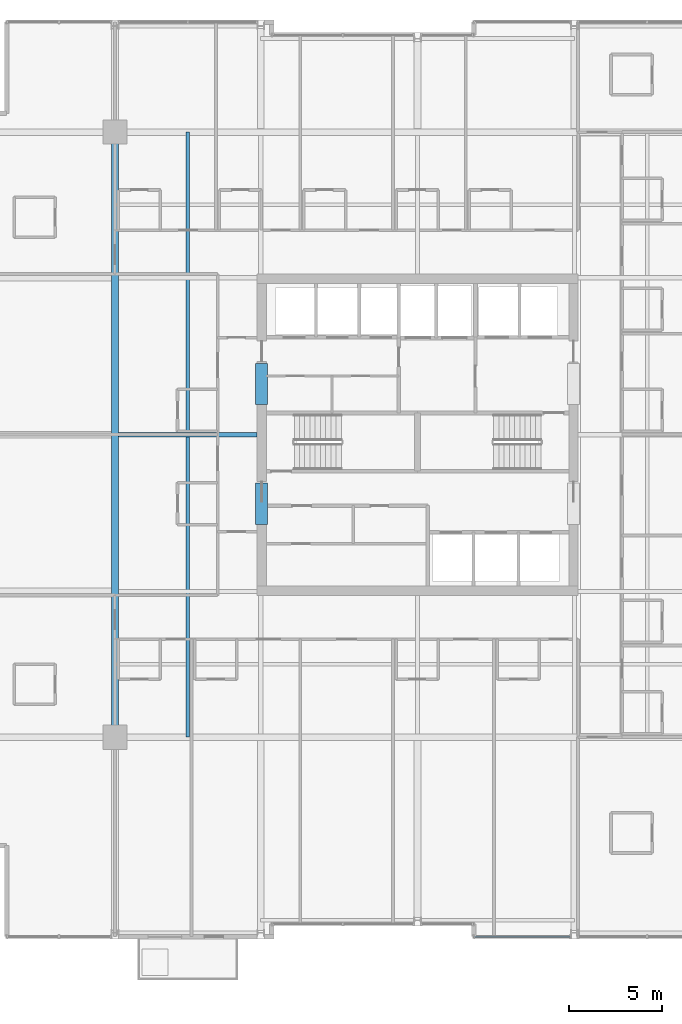
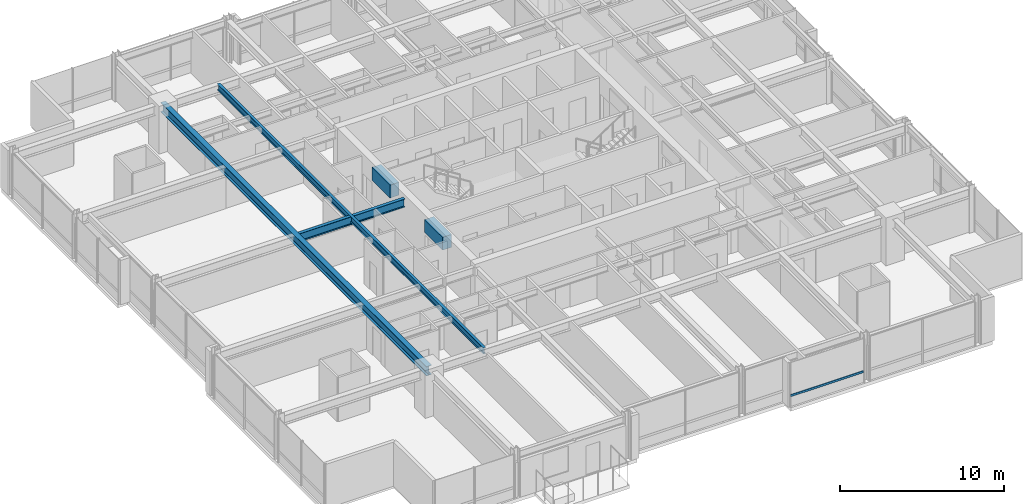
# One storey, part 10 of 32: 5 beams, 1 member, 1 element without a shape of its own.
"""IFC4 building model written with IfcOpenShell, lengths in metres."""

from ifc_helpers import new_model, si_unit, direction, frame, origin, origin_2d, place, context, subcontext, project, spatial, rectangle, hollow_rectangle, i_section, extrude, material, layer, layer_set, material_profile, profile_set, type_object, element, aggregate, save


model = new_model("IFC4")

# Units and contexts
model_context = context("Model", 3, precision=1e-05, world=origin(), true_north=direction((0.0, 1.0)))
body_context = subcontext(model_context, "Body", "Model", "MODEL_VIEW")
ifc_project = project(units=[si_unit("LENGTHUNIT", "METRE"), si_unit("AREAUNIT", "SQUARE_METRE"), si_unit("VOLUMEUNIT", "CUBIC_METRE"), si_unit("PLANEANGLEUNIT", "RADIAN"), si_unit("MASSUNIT", "GRAM", prefix="KILO")], contexts=[model_context])

# Site, building, storey
site_placement = place(None, origin())
site = spatial("IfcSite", under=ifc_project, at=site_placement, CompositionType="ELEMENT")
building_placement = place(site_placement, origin())
building = spatial("IfcBuilding", under=site, at=building_placement, Name="Drelvath Grand Hotel", CompositionType="ELEMENT")
storey_placement = place(building_placement, frame((0.0, 0.0, 157.5)))
storey = spatial("IfcBuildingStorey", under=building, at=storey_placement, Name="L40", CompositionType="ELEMENT", Elevation=157.5)

# Beams
ifc_material_1 = material(Name="Steel ASTM A992 Gr 50", Category="steel")
ifc_material_profile_1 = material_profile(ifc_material_1, i_section(OverallWidth=0.19140625, OverallDepth=0.4599609375, WebThickness=0.010009765625, FlangeThickness=0.01611328125, FilletRadius=0.01611328125, at=origin_2d()), Name="W18X55")
ifc_profile_set_1 = profile_set([ifc_material_profile_1], Name="Steel ASTM A992 Gr 50")
beam_type_1 = type_object("IfcBeamType", Name="Composite Floor Joist W18X55", PredefinedType="JOIST", material=ifc_profile_set_1)
beam_1_placement = place(storey_placement, frame((-12.300048828125, 10.800048828125, 3.06005859375), z_axis=(0.0, 1.0, 0.0), x_axis=(-1.0, 0.0, 0.0)))
element("IfcBeam", 1, at=beam_1_placement, inside=storey, type_object=beam_type_1, Name="L40 Wing Floor Joist J3", PredefinedType="JOIST", context=body_context, shape_type="SweptSolid", body=[
    extrude(i_section(OverallWidth=0.19140625, OverallDepth=0.4599609375, WebThickness=0.010009765625, FlangeThickness=0.01611328125, FilletRadius=0.01611328125, at=origin_2d()), origin(), (0.0, 0.0, 1.0), 32.39990234375),
])
ifc_material_2 = material(Name="Concrete f'c 55 MPa", Category="concrete")
ifc_material_profile_2 = material_profile(ifc_material_2, rectangle(XDim=0.64990234375, YDim=0.949951171875, at=origin_2d()), Name="CB650X950")
ifc_profile_set_2 = profile_set([ifc_material_profile_2], Name="Concrete f'c 55 MPa")
beam_type_2 = type_object("IfcBeamType", Name="Core Coupling Lintel CB650X950", PredefinedType="LINTEL", material=ifc_profile_set_2)
for number, where, z_axis, x_axis, name in (
    (2, (-8.35009765625, 22.199951171875, 2.81494140625), (0.0, 1.0, 0.0), (-1.0, 0.0, 0.0), "L40 Core Coupling Lintel WS"),
    (3, (-8.35009765625, 28.60009765625, 2.81494140625), (0.0, 1.0, 0.0), (-1.0, 0.0, 0.0), "L40 Core Coupling Lintel WN"),
):
    element("IfcBeam", number, at=place(storey_placement, frame(where, z_axis=z_axis, x_axis=x_axis)), inside=storey, type_object=beam_type_2, Name=name, PredefinedType="LINTEL", context=body_context, shape_type="SweptSolid", body=[
        extrude(rectangle(XDim=0.64990234375, YDim=0.949951171875, at=origin_2d()), origin(), (0.0, 0.0, 1.0), 2.199951171875),
    ])

# Curtain wall, member
ifc_material_3 = material(Name="Brushed Pale-Silver Anodised Aluminium Frame", Category="aluminium")
ifc_layer = layer(ifc_material_3, 0.199951171875)
ifc_layer_set = layer_set([ifc_layer], Name="Brushed Pale-Silver Anodised Aluminium Frame")
curtain_wall_type = type_object("IfcCurtainWallType", Name="Stick Curtain Wall CW-04 Brushed Silver Upper-Mid", PredefinedType="NOTDEFINED", material=ifc_layer_set)
curtain_wall_placement = place(storey_placement, origin())
curtain_wall = element("IfcCurtainWall", 4, at=curtain_wall_placement, inside=storey, type_object=curtain_wall_type, Name="L40 CW-04 Curtain Wall CW04-L40-SE1", PredefinedType="NOTDEFINED")
ifc_material_profile_3 = material_profile(ifc_material_3, hollow_rectangle(XDim=0.06494140625, YDim=0.159912109375, WallThickness=0.00390625, at=origin_2d()), Name="HSS160X65X4")
ifc_profile_set_3 = profile_set([ifc_material_profile_3], Name="Brushed Pale-Silver Anodised Aluminium Frame")
member_type = type_object("IfcMemberType", Name="Curtain Wall Horizontal Transom CW-04 HSS160X65X4", PredefinedType="USERDEFINED", material=ifc_profile_set_3)
member_placement = place(storey_placement, frame((8.159912109375, 0.1201171875, 0.822509765625), z_axis=(-1.0, 0.0, 0.0), x_axis=(0.0, -1.0, 0.0)))
member = element("IfcMember", 5, at=member_placement, type_object=member_type, Name="CW04-L40-SE1 Sill Transom", ObjectType="TRANSOM", PredefinedType="USERDEFINED", context=body_context, shape_type="SweptSolid", body=[
    extrude(hollow_rectangle(XDim=0.06494140625, YDim=0.159912109375, WallThickness=0.00390625, at=origin_2d()), origin(), (0.0, 0.0, 1.0), 5.119873046875),
])
aggregate(curtain_wall, [member])

# Beams
ifc_material_profile_4 = material_profile(ifc_material_1, i_section(OverallWidth=0.228271484375, OverallDepth=0.607666015625, WebThickness=0.01123046875, FlangeThickness=0.017333984375, FilletRadius=0.02001953125, at=origin_2d()), Name="W24X76")
ifc_profile_set_4 = profile_set([ifc_material_profile_4], Name="Steel ASTM A992 Gr 50")
beam_type_3 = type_object("IfcBeamType", Name="Primary Floor Girder W24X76", PredefinedType="BEAM", material=ifc_profile_set_4)
beam_2_placement = place(storey_placement, frame((-16.022705078125, 27.0, 2.986083984375), z_axis=(1.0, 0.0, 0.0), x_axis=(0.0, 1.0, 0.0)))
element("IfcBeam", 6, at=beam_2_placement, inside=storey, type_object=beam_type_3, Name="L40 West Core Tie E", PredefinedType="BEAM", context=body_context, shape_type="SweptSolid", body=[
    extrude(i_section(OverallWidth=0.228271484375, OverallDepth=0.607666015625, WebThickness=0.01123046875, FlangeThickness=0.017333984375, FilletRadius=0.02001953125, at=origin_2d()), origin(), (0.0, 0.0, 1.0), 7.422607421875),
])
ifc_material_profile_5 = material_profile(ifc_material_1, i_section(OverallWidth=0.354736328125, OverallDepth=0.695556640625, WebThickness=0.015380859375, FlangeThickness=0.025146484375, FilletRadius=0.02392578125, at=origin_2d()), Name="W27X146")
ifc_profile_set_5 = profile_set([ifc_material_profile_5], Name="Steel ASTM A992 Gr 50")
beam_type_4 = type_object("IfcBeamType", Name="Primary Floor Girder W27X146", PredefinedType="BEAM", material=ifc_profile_set_5)
beam_3_placement = place(storey_placement, frame((-16.199951171875, 10.800048828125, 2.9423828125), z_axis=(0.0, 1.0, 0.0), x_axis=(-1.0, 0.0, 0.0)))
element("IfcBeam", 7, at=beam_3_placement, inside=storey, type_object=beam_type_4, Name="L40 Mega Ring Girder West", PredefinedType="BEAM", context=body_context, shape_type="SweptSolid", body=[
    extrude(i_section(OverallWidth=0.354736328125, OverallDepth=0.695556640625, WebThickness=0.015380859375, FlangeThickness=0.025146484375, FilletRadius=0.02392578125, at=origin_2d()), origin(), (0.0, 0.0, 1.0), 32.39990234375),
])

save(model, "model.ifc")
